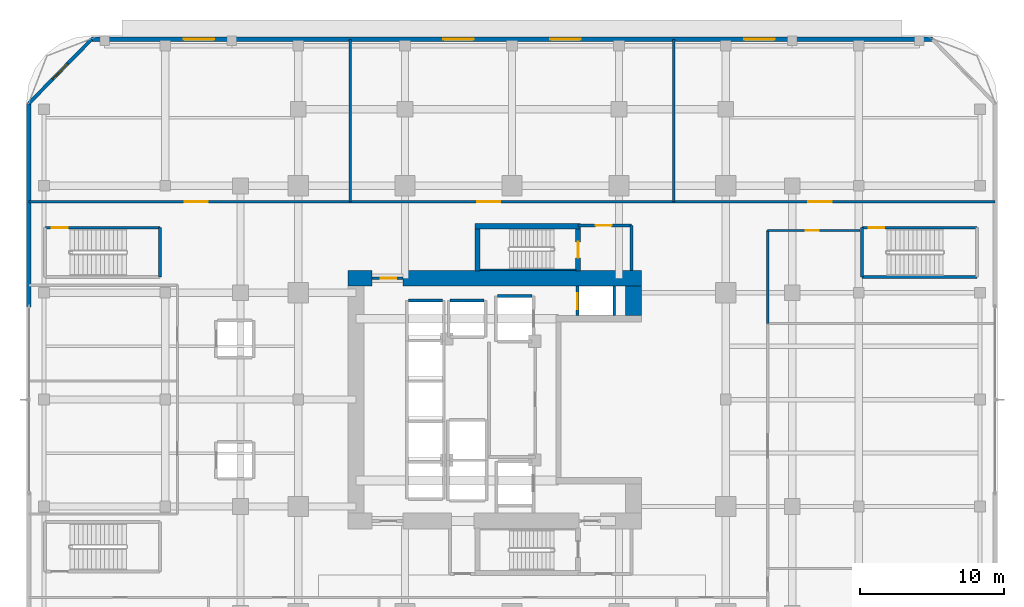
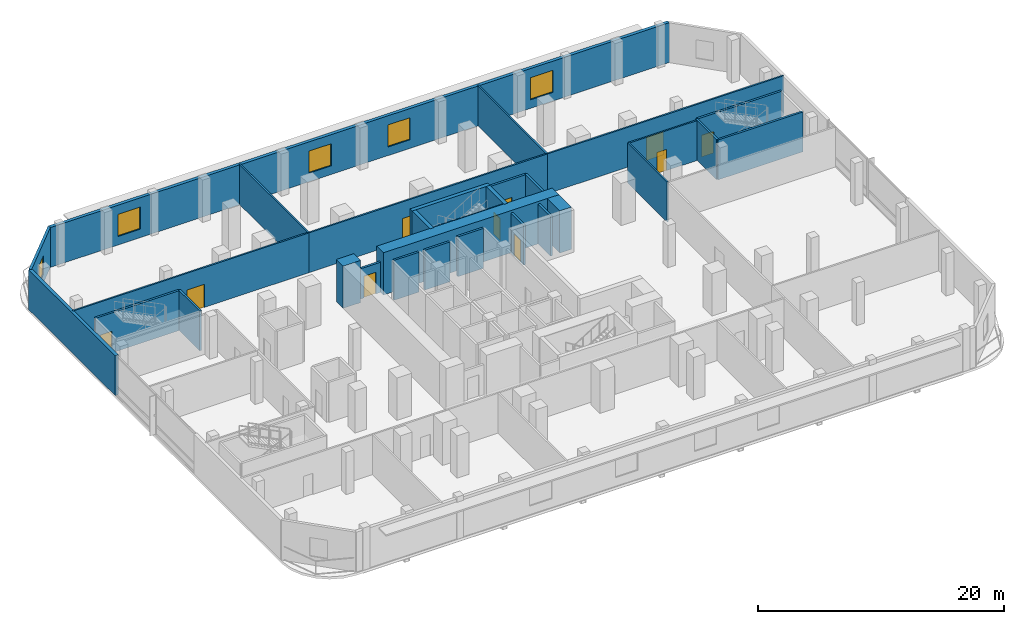
# One storey, part 10 of 19: 30 walls, 10 doors, 5 windows, 15 openings.
"""IFC4 building model written with IfcOpenShell, lengths in metres."""

from ifc_helpers import new_model, si_unit, direction, frame, frame_2d, origin, place, context, subcontext, project, spatial, rectangle, extrude, material, layer, layer_set, type_object, element, fill, save


model = new_model("IFC4")

# Units and contexts
model_context = context("Model", 3, precision=1e-05, world=origin(), true_north=direction((0.0, 1.0)))
body_context = subcontext(model_context, "Body", "Model", "MODEL_VIEW")
ifc_project = project(units=[si_unit("LENGTHUNIT", "METRE"), si_unit("AREAUNIT", "SQUARE_METRE"), si_unit("VOLUMEUNIT", "CUBIC_METRE"), si_unit("PLANEANGLEUNIT", "RADIAN"), si_unit("MASSUNIT", "GRAM", prefix="KILO")], contexts=[model_context])

# Site, building, storey
site_placement = place(None, origin())
site = spatial("IfcSite", under=ifc_project, at=site_placement, CompositionType="ELEMENT")
building_placement = place(site_placement, origin())
building = spatial("IfcBuilding", under=site, at=building_placement, Name="Khorvyn Point Tower", CompositionType="ELEMENT")
storey_placement = place(building_placement, frame((0.0, 0.0, 13.199951171875)))
storey = spatial("IfcBuildingStorey", under=building, at=storey_placement, Name="L04", CompositionType="ELEMENT", Elevation=13.199951171875)

# Wall, opening, window
ifc_material_1 = material(Name="Pale anodised aluminium rainscreen on steel stud", Category="steel")
ifc_layer_1 = layer(ifc_material_1, 0.239990234375)
ifc_layer_set_1 = layer_set([ifc_layer_1], Name="Anodised Aluminium Insulated Corner Spandrel Wall 240")
wall_type_1 = type_object("IfcWallType", Name="Anodised Aluminium Insulated Corner Spandrel Wall 240", PredefinedType="SOLIDWALL", material=ifc_layer_set_1)
wall_1_placement = place(storey_placement, frame((-33.449951171875, 20.5, 0.0), z_axis=(0.0, 0.0, 1.0), x_axis=(0.69901822973, 0.715103848756, 0.0)))
wall_1 = element("IfcWall", 1, at=wall_1_placement, inside=storey, type_object=wall_type_1, Name="L04 Rounded Corner Wall NW", PredefinedType="SOLIDWALL", context=body_context, shape_type="SweptSolid", body=[
    extrude(rectangle(XDim=6.222900390625, YDim=0.239990234375, at=frame_2d((3.111328125, 0.0))), origin(), (0.0, 0.0, 1.0), 3.9599609375),
])
opening_1_placement = place(wall_1_placement, frame((2.361572265625, 0.0, 0.85009765625)))
opening_1 = element("IfcOpeningElement", 2, at=opening_1_placement, cuts=wall_1, Name="Opening WN-1518", PredefinedType="OPENING", context=body_context, shape_type="SweptSolid", body=[
    extrude(rectangle(XDim=1.5, YDim=1.85009765625, at=frame_2d((0.75, 0.925048828125))), frame((0.0, 0.1298828125, 0.0), z_axis=(0.0, -1.0, 0.0), x_axis=(1.0, 0.0, 0.0)), (0.0, 0.0, 1.0), 0.260009765625),
])
ifc_material_2 = material(Name="Anodised aluminium 6063-T6 and laminated Low-E glass", Category="aluminium")
window_type_1 = type_object("IfcWindowType", Name="Anodised Aluminium Rounded-Corner Panoramic Window 1500x1850", PartitioningType="SINGLE_PANEL", PredefinedType="WINDOW", material=ifc_material_2)
window_1_placement = place(opening_1_placement, origin())
window_1 = element("IfcWindow", 3, at=window_1_placement, inside=storey, type_object=window_type_1, Name="L04 Corner Window NW", OverallHeight=1.85009765625, OverallWidth=1.5, PartitioningType="SINGLE_PANEL", PredefinedType="WINDOW", context=body_context, shape_type="SweptSolid", body=[
    extrude(rectangle(XDim=1.5, YDim=1.85009765625, at=frame_2d((0.75, 0.925048828125))), frame((0.0, 0.030029296875, 0.0), z_axis=(0.0, -1.0, 0.0), x_axis=(1.0, 0.0, 0.0)), (0.0, 0.0, 1.0), 0.06005859375),
])
fill(opening_1, window_1)

# Wall, opening, door
ifc_material_3 = material(Name="Concrete C40/50", Category="concrete")
ifc_layer_2 = layer(ifc_material_3, 0.199951171875)
ifc_layer_set_2 = layer_set([ifc_layer_2], Name="Concrete C40/50 Fire-Lobby Compartment Wall 200")
wall_type_2 = type_object("IfcWallType", Name="Concrete C40/50 Fire-Lobby Compartment Wall 200", PredefinedType="SOLIDWALL", material=ifc_layer_set_2)
wall_2_placement = place(storey_placement, frame((4.580078125, 12.06005859375, 0.0), z_axis=(0.0, 0.0, 1.0), x_axis=(1.0, 0.0, 0.0)))
wall_2 = element("IfcWall", 4, at=wall_2_placement, inside=storey, type_object=wall_type_2, Name="Wall", PredefinedType="SOLIDWALL", context=body_context, shape_type="SweptSolid", body=[
    extrude(rectangle(XDim=3.699951171875, YDim=0.199951171875, at=frame_2d((1.85009765625, 0.0))), origin(), (0.0, 0.0, 1.0), 3.9599609375),
])
opening_2_placement = place(wall_2_placement, frame((1.21240234375, 0.0, 0.0)))
opening_2 = element("IfcOpeningElement", 5, at=opening_2_placement, cuts=wall_2, Name="Opening ID-FL90", PredefinedType="OPENING", context=body_context, shape_type="SweptSolid", body=[
    extrude(rectangle(XDim=1.10009765625, YDim=2.14990234375, at=frame_2d((0.550048828125, 1.074951171875))), frame((0.0, 0.10986328125, 0.0), z_axis=(0.0, -1.0, 0.0), x_axis=(1.0, 0.0, 0.0)), (0.0, 0.0, 1.0), 0.219970703125),
])
ifc_material_4 = material(Name="Galvanised powder-coated steel", Category="steel")
door_type_1 = type_object("IfcDoorType", Name="Fire-Rated Steel Lobby and Stair Door 1100x2150", OperationType="NOTDEFINED", PredefinedType="DOOR", material=ifc_material_4)
door_1_placement = place(opening_2_placement, origin())
door_1 = element("IfcDoor", 6, at=door_1_placement, inside=storey, type_object=door_type_1, Name="Door", OperationType="SINGLE_SWING_LEFT", OverallHeight=2.14990234375, OverallWidth=1.10009765625, PredefinedType="DOOR", context=body_context, shape_type="SweptSolid", body=[
    extrude(rectangle(XDim=1.10009765625, YDim=2.14990234375, at=frame_2d((0.550048828125, 1.074951171875))), frame((0.0, 0.02490234375, 0.0), z_axis=(0.0, -1.0, 0.0), x_axis=(1.0, 0.0, 0.0)), (0.0, 0.0, 1.0), 0.050048828125),
])
fill(opening_2, door_1)

wall_3_placement = place(storey_placement, frame((-9.699951171875, 8.39990234375, 0.0), z_axis=(0.0, 0.0, 1.0), x_axis=(1.0, 0.0, 0.0)))
wall_3 = element("IfcWall", 7, at=wall_3_placement, inside=storey, type_object=wall_type_2, Name="Wall", PredefinedType="SOLIDWALL", context=body_context, shape_type="SweptSolid", body=[
    extrude(rectangle(XDim=2.14990234375, YDim=0.199951171875, at=frame_2d((1.074951171875, 0.0))), origin(), (0.0, 0.0, 1.0), 3.0),
])
opening_3_placement = place(wall_3_placement, frame((0.597900390625, 0.0, 0.0)))
opening_3 = element("IfcOpeningElement", 8, at=opening_3_placement, cuts=wall_3, Name="Opening ID-FL90", PredefinedType="OPENING", context=body_context, shape_type="SweptSolid", body=[
    extrude(rectangle(XDim=1.10009765625, YDim=2.14990234375, at=frame_2d((0.550048828125, 1.074951171875))), frame((0.0, 0.10986328125, 0.0), z_axis=(0.0, -1.0, 0.0), x_axis=(1.0, 0.0, 0.0)), (0.0, 0.0, 1.0), 0.219970703125),
])
door_2_placement = place(opening_3_placement, origin())
door_2 = element("IfcDoor", 9, at=door_2_placement, inside=storey, type_object=door_type_1, Name="Door", OperationType="SINGLE_SWING_LEFT", OverallHeight=2.14990234375, OverallWidth=1.10009765625, PredefinedType="DOOR", context=body_context, shape_type="SweptSolid", body=[
    extrude(rectangle(XDim=1.10009765625, YDim=2.14990234375, at=frame_2d((0.550048828125, 1.074951171875))), frame((0.0, 0.02490234375, 0.0), z_axis=(0.0, -1.0, 0.0), x_axis=(1.0, 0.0, 0.0)), (0.0, 0.0, 1.0), 0.050048828125),
])
fill(opening_3, door_2)

# Walls
wall_4_placement = place(storey_placement, frame((8.280029296875, 8.949951171875, 0.0), z_axis=(0.0, 0.0, 1.0), x_axis=(0.0, 1.0, 0.0)))
element("IfcWall", 10, at=wall_4_placement, inside=storey, type_object=wall_type_2, Name="Wall", PredefinedType="SOLIDWALL", context=body_context, shape_type="SweptSolid", body=[
    extrude(rectangle(XDim=3.110107421875, YDim=0.199951171875, at=frame_2d((1.55517578125, 0.0))), origin(), (0.0, 0.0, 1.0), 3.9599609375),
])
ifc_layer_3 = layer(ifc_material_3, 0.25)
ifc_layer_set_3 = layer_set([ifc_layer_3], Name="Concrete C40/50 Stair Inner Cheek Structural Wall 250")
wall_type_3 = type_object("IfcWallType", Name="Concrete C40/50 Stair Inner Cheek Structural Wall 250", PredefinedType="SHEAR", material=ifc_layer_set_3)
wall_5_placement = place(storey_placement, frame((-2.199951171875, 8.987548828125, 0.0), z_axis=(0.0, 0.0, 1.0), x_axis=(1.0, 0.0, 0.0)))
element("IfcWall", 11, at=wall_5_placement, inside=storey, type_object=wall_type_3, Name="Wall", PredefinedType="SHEAR", context=body_context, shape_type="SweptSolid", body=[
    extrude(rectangle(XDim=6.599853515625, YDim=0.074951171875, at=frame_2d((3.2998046875, 0.0))), origin(), (0.0, 0.0, 1.0), 4.199951171875),
])
ifc_layer_4 = layer(ifc_material_3, 0.35009765625)
ifc_layer_set_4 = layer_set([ifc_layer_4], Name="Concrete C40/50 Stair Shaft Structural Wall 350")
wall_type_4 = type_object("IfcWallType", Name="Concrete C40/50 Stair Shaft Structural Wall 350", PredefinedType="SHEAR", material=ifc_layer_set_4)
wall_6_placement = place(storey_placement, frame((-2.554931640625, 12.0, 0.0), z_axis=(0.0, 0.0, 1.0), x_axis=(1.0, 0.0, 0.0)))
element("IfcWall", 12, at=wall_6_placement, inside=storey, type_object=wall_type_4, Name="L04 ST-02 North Shaft Wall", PredefinedType="SHEAR", context=body_context, shape_type="SweptSolid", body=[
    extrude(rectangle(XDim=7.309814453125, YDim=0.35009765625, at=frame_2d((3.65478515625, 0.0))), origin(), (0.0, 0.0, 1.0), 4.199951171875),
])
wall_7_placement = place(storey_placement, frame((-2.3798828125, 8.89990234375, 0.0), z_axis=(0.0, 0.0, 1.0), x_axis=(0.0, 1.0, 0.0)))
element("IfcWall", 13, at=wall_7_placement, inside=storey, type_object=wall_type_4, Name="L04 ST-02 West Shaft Wall", PredefinedType="SHEAR", context=body_context, shape_type="SweptSolid", body=[
    extrude(rectangle(XDim=2.925048828125, YDim=0.35009765625, at=frame_2d((1.46240234375, 0.0))), origin(), (0.0, 0.0, 1.0), 4.199951171875),
])

# Wall, opening, door
wall_8_placement = place(storey_placement, frame((4.580078125, 11.824951171875, 0.0), z_axis=(0.0, 0.0, 1.0), x_axis=(0.0, -1.0, 0.0)))
wall_8 = element("IfcWall", 14, at=wall_8_placement, inside=storey, type_object=wall_type_4, Name="L04 ST-02 East Landing Door Wall", PredefinedType="SHEAR", context=body_context, shape_type="SweptSolid", body=[
    extrude(rectangle(XDim=2.925048828125, YDim=0.35009765625, at=frame_2d((1.46240234375, 0.0))), origin(), (0.0, 0.0, 1.0), 4.199951171875),
])
opening_4_placement = place(wall_8_placement, frame((0.91259765625, 0.0, 0.0)))
opening_4 = element("IfcOpeningElement", 15, at=opening_4_placement, cuts=wall_8, Name="Opening ID-FL90", PredefinedType="OPENING", context=body_context, shape_type="SweptSolid", body=[
    extrude(rectangle(XDim=1.10009765625, YDim=2.14990234375, at=frame_2d((0.550048828125, 1.074951171875))), frame((0.0, 0.18505859375, 0.0), z_axis=(0.0, -1.0, 0.0), x_axis=(1.0, 0.0, 0.0)), (0.0, 0.0, 1.0), 0.3701171875),
])
door_3_placement = place(opening_4_placement, origin())
door_3 = element("IfcDoor", 16, at=door_3_placement, inside=storey, type_object=door_type_1, Name="L04 ST-02 Smokeproof Landing Door", OperationType="SINGLE_SWING_LEFT", OverallHeight=2.14990234375, OverallWidth=1.10009765625, PredefinedType="DOOR", context=body_context, shape_type="SweptSolid", body=[
    extrude(rectangle(XDim=1.10009765625, YDim=2.14990234375, at=frame_2d((0.550048828125, 1.074951171875))), frame((0.0, 0.02490234375, 0.0), z_axis=(0.0, -1.0, 0.0), x_axis=(1.0, 0.0, 0.0)), (0.0, 0.0, 1.0), 0.050048828125),
])
fill(opening_4, door_3)

# Walls
ifc_layer_5 = layer(ifc_material_3, 0.199951171875)
ifc_layer_set_5 = layer_set([ifc_layer_5], Name="Concrete C40/50 Structural Hoistway and Stair Shaft Wall 200")
wall_type_5 = type_object("IfcWallType", Name="Concrete C40/50 Structural Hoistway and Stair Shaft Wall 200", PredefinedType="SHEAR", material=ifc_layer_set_5)
wall_9_placement = place(storey_placement, frame((-7.175048828125, 6.875, 0.0), z_axis=(0.0, 0.0, 1.0), x_axis=(1.0, 0.0, 0.0)))
element("IfcWall", 17, at=wall_9_placement, inside=storey, type_object=wall_type_5, Name="Wall", PredefinedType="SHEAR", context=body_context, shape_type="SweptSolid", body=[
    extrude(rectangle(XDim=2.35009765625, YDim=0.199951171875, at=frame_2d((1.175048828125, 0.0))), origin(), (0.0, 0.0, 1.0), 3.9599609375),
])
wall_10_placement = place(storey_placement, frame((-4.27490234375, 6.875, 0.0), z_axis=(0.0, 0.0, 1.0), x_axis=(1.0, 0.0, 0.0)))
element("IfcWall", 18, at=wall_10_placement, inside=storey, type_object=wall_type_5, Name="Wall", PredefinedType="SHEAR", context=body_context, shape_type="SweptSolid", body=[
    extrude(rectangle(XDim=2.349853515625, YDim=0.199951171875, at=frame_2d((1.1748046875, 0.0))), origin(), (0.0, 0.0, 1.0), 3.9599609375),
])
wall_11_placement = place(storey_placement, frame((-1.0, 7.175048828125, 0.0), z_axis=(0.0, 0.0, 1.0), x_axis=(1.0, 0.0, 0.0)))
element("IfcWall", 19, at=wall_11_placement, inside=storey, type_object=wall_type_5, Name="Wall", PredefinedType="SHEAR", context=body_context, shape_type="SweptSolid", body=[
    extrude(rectangle(XDim=2.39990234375, YDim=0.199951171875, at=frame_2d((1.199951171875, 0.0))), origin(), (0.0, 0.0, 1.0), 3.9599609375),
])

# Wall, opening, door
wall_12_placement = place(storey_placement, frame((4.52490234375, 5.824951171875, 0.0), z_axis=(0.0, 0.0, 1.0), x_axis=(0.0, 1.0, 0.0)))
wall_12 = element("IfcWall", 20, at=wall_12_placement, inside=storey, type_object=wall_type_5, Name="Wall", PredefinedType="SHEAR", context=body_context, shape_type="SweptSolid", body=[
    extrude(rectangle(XDim=2.025146484375, YDim=0.199951171875, at=frame_2d((1.0126953125, 0.0))), origin(), (0.0, 0.0, 1.0), 3.9599609375),
])
opening_5_placement = place(wall_12_placement, frame((0.425048828125, 0.0, 0.0)))
opening_5 = element("IfcOpeningElement", 21, at=opening_5_placement, cuts=wall_12, Name="Opening LD-1122", PredefinedType="OPENING", context=body_context, shape_type="SweptSolid", body=[
    extrude(rectangle(XDim=1.10009765625, YDim=2.199951171875, at=frame_2d((0.550048828125, 1.10009765625))), frame((0.0, 0.10986328125, 0.0), z_axis=(0.0, -1.0, 0.0), x_axis=(1.0, 0.0, 0.0)), (0.0, 0.0, 1.0), 0.219970703125),
])
ifc_material_5 = material(Name="Stainless steel 1.4301", Category="steel")
door_type_2 = type_object("IfcDoorType", Name="Stainless Steel Automatic Sliding Lift Landing Door 1100x2200", OperationType="SLIDING_TO_LEFT", PredefinedType="DOOR", material=ifc_material_5)
door_4_placement = place(opening_5_placement, origin())
door_4 = element("IfcDoor", 22, at=door_4_placement, inside=storey, type_object=door_type_2, Name="L04 FF-02 Sliding Lift Landing Door", OperationType="SLIDING_TO_LEFT", OverallHeight=2.199951171875, OverallWidth=1.10009765625, PredefinedType="DOOR", context=body_context, shape_type="SweptSolid", body=[
    extrude(rectangle(XDim=1.10009765625, YDim=2.199951171875, at=frame_2d((0.550048828125, 1.10009765625))), frame((0.0, 0.02490234375, 0.0), z_axis=(0.0, -1.0, 0.0), x_axis=(1.0, 0.0, 0.0)), (0.0, 0.0, 1.0), 0.050048828125),
])
fill(opening_5, door_4)

# Walls
wall_13_placement = place(storey_placement, frame((7.074951171875, 5.824951171875, 0.0), z_axis=(0.0, 0.0, 1.0), x_axis=(0.0, 1.0, 0.0)))
element("IfcWall", 23, at=wall_13_placement, inside=storey, type_object=wall_type_5, Name="Wall", PredefinedType="SHEAR", context=body_context, shape_type="SweptSolid", body=[
    extrude(rectangle(XDim=2.025146484375, YDim=0.199951171875, at=frame_2d((1.0126953125, 0.0))), origin(), (0.0, 0.0, 1.0), 3.9599609375),
])
wall_14_placement = place(storey_placement, frame((-24.3701171875, 11.89990234375, 0.0), z_axis=(0.0, 0.0, 1.0), x_axis=(0.0, -1.0, 0.0)))
element("IfcWall", 24, at=wall_14_placement, inside=storey, type_object=wall_type_5, Name="Wall", PredefinedType="SHEAR", context=body_context, shape_type="SweptSolid", body=[
    extrude(rectangle(XDim=3.419921875, YDim=0.199951171875, at=frame_2d((1.7099609375, 0.0))), origin(), (0.0, 0.0, 1.0), 3.9599609375),
])

# Wall, opening, door
wall_15_placement = place(storey_placement, frame((-32.330078125, 11.89990234375, 0.0), z_axis=(0.0, 0.0, 1.0), x_axis=(1.0, 0.0, 0.0)))
wall_15 = element("IfcWall", 25, at=wall_15_placement, inside=storey, type_object=wall_type_5, Name="Wall", PredefinedType="SHEAR", context=body_context, shape_type="SweptSolid", body=[
    extrude(rectangle(XDim=7.9599609375, YDim=0.199951171875, at=frame_2d((3.97998046875, 0.0))), origin(), (0.0, 0.0, 1.0), 3.9599609375),
])
opening_6_placement = place(wall_15_placement, frame((0.4599609375, 0.0, 0.0)))
opening_6 = element("IfcOpeningElement", 26, at=opening_6_placement, cuts=wall_15, Name="Opening ID-FL90", PredefinedType="OPENING", context=body_context, shape_type="SweptSolid", body=[
    extrude(rectangle(XDim=1.10009765625, YDim=2.14990234375, at=frame_2d((0.550048828125, 1.074951171875))), frame((0.0, 0.10986328125, 0.0), z_axis=(0.0, -1.0, 0.0), x_axis=(1.0, 0.0, 0.0)), (0.0, 0.0, 1.0), 0.219970703125),
])
door_5_placement = place(opening_6_placement, origin())
door_5 = element("IfcDoor", 27, at=door_5_placement, inside=storey, type_object=door_type_1, Name="L04 ST-S2 Smokeproof Landing Door", OperationType="SINGLE_SWING_LEFT", OverallHeight=2.14990234375, OverallWidth=1.10009765625, PredefinedType="DOOR", context=body_context, shape_type="SweptSolid", body=[
    extrude(rectangle(XDim=1.10009765625, YDim=2.14990234375, at=frame_2d((0.550048828125, 1.074951171875))), frame((0.0, 0.02490234375, 0.0), z_axis=(0.0, -1.0, 0.0), x_axis=(1.0, 0.0, 0.0)), (0.0, 0.0, 1.0), 0.050048828125),
])
fill(opening_6, door_5)

# Walls
wall_16_placement = place(storey_placement, frame((24.219970703125, 8.47998046875, 0.0), z_axis=(0.0, 0.0, 1.0), x_axis=(0.0, 1.0, 0.0)))
element("IfcWall", 28, at=wall_16_placement, inside=storey, type_object=wall_type_5, Name="Wall", PredefinedType="SHEAR", context=body_context, shape_type="SweptSolid", body=[
    extrude(rectangle(XDim=3.419921875, YDim=0.199951171875, at=frame_2d((1.7099609375, 0.0))), origin(), (0.0, 0.0, 1.0), 3.9599609375),
])
wall_17_placement = place(storey_placement, frame((32.179931640625, 8.47998046875, 0.0), z_axis=(0.0, 0.0, 1.0), x_axis=(-1.0, 0.0, 0.0)))
element("IfcWall", 29, at=wall_17_placement, inside=storey, type_object=wall_type_5, Name="Wall", PredefinedType="SHEAR", context=body_context, shape_type="SweptSolid", body=[
    extrude(rectangle(XDim=7.9599609375, YDim=0.199951171875, at=frame_2d((3.97998046875, 0.0))), origin(), (0.0, 0.0, 1.0), 3.9599609375),
])

# Wall, opening, door
wall_18_placement = place(storey_placement, frame((24.219970703125, 11.89990234375, 0.0), z_axis=(0.0, 0.0, 1.0), x_axis=(1.0, 0.0, 0.0)))
wall_18 = element("IfcWall", 30, at=wall_18_placement, inside=storey, type_object=wall_type_5, Name="Wall", PredefinedType="SHEAR", context=body_context, shape_type="SweptSolid", body=[
    extrude(rectangle(XDim=7.9599609375, YDim=0.199951171875, at=frame_2d((3.97998046875, 0.0))), origin(), (0.0, 0.0, 1.0), 3.9599609375),
])
opening_7_placement = place(wall_18_placement, frame((0.4599609375, 0.0, 0.0)))
opening_7 = element("IfcOpeningElement", 31, at=opening_7_placement, cuts=wall_18, Name="Opening ID-FL90", PredefinedType="OPENING", context=body_context, shape_type="SweptSolid", body=[
    extrude(rectangle(XDim=1.10009765625, YDim=2.14990234375, at=frame_2d((0.550048828125, 1.074951171875))), frame((0.0, 0.10986328125, 0.0), z_axis=(0.0, -1.0, 0.0), x_axis=(1.0, 0.0, 0.0)), (0.0, 0.0, 1.0), 0.219970703125),
])
door_6_placement = place(opening_7_placement, origin())
door_6 = element("IfcDoor", 32, at=door_6_placement, inside=storey, type_object=door_type_1, Name="L04 ST-S3 Smokeproof Landing Door", OperationType="SINGLE_SWING_LEFT", OverallHeight=2.14990234375, OverallWidth=1.10009765625, PredefinedType="DOOR", context=body_context, shape_type="SweptSolid", body=[
    extrude(rectangle(XDim=1.10009765625, YDim=2.14990234375, at=frame_2d((0.550048828125, 1.074951171875))), frame((0.0, 0.02490234375, 0.0), z_axis=(0.0, -1.0, 0.0), x_axis=(1.0, 0.0, 0.0)), (0.0, 0.0, 1.0), 0.050048828125),
])
fill(opening_7, door_6)

# Walls
ifc_material_6 = material(Name="Concrete C50/60", Category="concrete")
ifc_layer_6 = layer(ifc_material_6, 1.10009765625)
ifc_layer_set_6 = layer_set([ifc_layer_6], Name="Concrete C50/60 Core Shear Wall 1100")
wall_type_6 = type_object("IfcWallType", Name="Concrete C50/60 Core Shear Wall 1100", PredefinedType="SHEAR", material=ifc_layer_set_6)
wall_19_placement = place(storey_placement, frame((-11.35009765625, 8.39990234375, 0.0), z_axis=(0.0, 0.0, 1.0), x_axis=(1.0, 0.0, 0.0)))
element("IfcWall", 33, at=wall_19_placement, inside=storey, type_object=wall_type_6, Name="Wall", PredefinedType="SHEAR", context=body_context, shape_type="SweptSolid", body=[
    extrude(rectangle(XDim=1.650146484375, YDim=1.10009765625, at=frame_2d((0.8251953125, 0.0))), origin(), (0.0, 0.0, 1.0), 4.199951171875),
])
wall_20_placement = place(storey_placement, frame((-7.550048828125, 8.39990234375, 0.0), z_axis=(0.0, 0.0, 1.0), x_axis=(1.0, 0.0, 0.0)))
element("IfcWall", 34, at=wall_20_placement, inside=storey, type_object=wall_type_6, Name="Wall", PredefinedType="SHEAR", context=body_context, shape_type="SweptSolid", body=[
    extrude(rectangle(XDim=16.5, YDim=1.10009765625, at=frame_2d((8.25, 0.0))), origin(), (0.0, 0.0, 1.0), 4.199951171875),
])
wall_21_placement = place(storey_placement, frame((8.39990234375, 5.824951171875, 0.0), z_axis=(0.0, 0.0, 1.0), x_axis=(0.0, 1.0, 0.0)))
element("IfcWall", 35, at=wall_21_placement, inside=storey, type_object=wall_type_6, Name="Wall", PredefinedType="SHEAR", context=body_context, shape_type="SweptSolid", body=[
    extrude(rectangle(XDim=2.025146484375, YDim=1.10009765625, at=frame_2d((1.0126953125, 0.0))), origin(), (0.0, 0.0, 1.0), 4.199951171875),
])

# Wall, opening, door
ifc_material_7 = material(Name="Moisture-resistant gypsum and cement board", Category="gypsum")
ifc_layer_7 = layer(ifc_material_7, 0.14990234375)
ifc_layer_set_7 = layer_set([ifc_layer_7], Name="Moisture-Resistant Wet-Room Partition Wall 150")
wall_type_7 = type_object("IfcWallType", Name="Moisture-Resistant Wet-Room Partition Wall 150", PredefinedType="PARTITIONING", material=ifc_layer_set_7)
wall_22_placement = place(storey_placement, frame((-33.419921875, 13.699951171875, 0.0), z_axis=(0.0, 0.0, 1.0), x_axis=(1.0, 0.0, 0.0)))
wall_22 = element("IfcWall", 36, at=wall_22_placement, inside=storey, type_object=wall_type_7, Name="Wall", PredefinedType="PARTITIONING", context=body_context, shape_type="SweptSolid", body=[
    extrude(rectangle(XDim=22.219970703125, YDim=0.14990234375, at=frame_2d((11.10986328125, 0.0))), origin(), (0.0, 0.0, 1.0), 3.9599609375),
])
opening_8_placement = place(wall_22_placement, frame((10.759033203125, 0.0, 0.0)))
opening_8 = element("IfcOpeningElement", 37, at=opening_8_placement, cuts=wall_22, Name="Opening ID-LB30", PredefinedType="OPENING", context=body_context, shape_type="SweptSolid", body=[
    extrude(rectangle(XDim=1.60009765625, YDim=2.300048828125, at=frame_2d((0.800048828125, 1.14990234375))), frame((0.0, 0.0849609375, 0.0), z_axis=(0.0, -1.0, 0.0), x_axis=(1.0, 0.0, 0.0)), (0.0, 0.0, 1.0), 0.169921875),
])
ifc_material_8 = material(Name="Anodised aluminium 6063-T6 and tempered glass", Category="aluminium")
door_type_3 = type_object("IfcDoorType", Name="Glazed Aluminium Sky-Lobby Double Swing Door 1600x2300", OperationType="DOUBLE_DOOR_SINGLE_SWING", PredefinedType="DOOR", material=ifc_material_8)
door_7_placement = place(opening_8_placement, origin())
door_7 = element("IfcDoor", 38, at=door_7_placement, inside=storey, type_object=door_type_3, Name="Door", OperationType="SINGLE_SWING_LEFT", OverallHeight=2.300048828125, OverallWidth=1.60009765625, PredefinedType="DOOR", context=body_context, shape_type="SweptSolid", body=[
    extrude(rectangle(XDim=1.60009765625, YDim=2.300048828125, at=frame_2d((0.800048828125, 1.14990234375))), frame((0.0, 0.02490234375, 0.0), z_axis=(0.0, -1.0, 0.0), x_axis=(1.0, 0.0, 0.0)), (0.0, 0.0, 1.0), 0.050048828125),
])
fill(opening_8, door_7)

wall_23_placement = place(storey_placement, frame((-11.199951171875, 13.699951171875, 0.0), z_axis=(0.0, 0.0, 1.0), x_axis=(1.0, 0.0, 0.0)))
wall_23 = element("IfcWall", 39, at=wall_23_placement, inside=storey, type_object=wall_type_7, Name="Wall", PredefinedType="PARTITIONING", context=body_context, shape_type="SweptSolid", body=[
    extrude(rectangle(XDim=22.39990234375, YDim=0.14990234375, at=frame_2d((11.199951171875, 0.0))), origin(), (0.0, 0.0, 1.0), 3.9599609375),
])
opening_9_placement = place(wall_23_placement, frame((8.783203125, 0.0, 0.0)))
opening_9 = element("IfcOpeningElement", 40, at=opening_9_placement, cuts=wall_23, Name="Opening ID-LB30", PredefinedType="OPENING", context=body_context, shape_type="SweptSolid", body=[
    extrude(rectangle(XDim=1.60009765625, YDim=2.300048828125, at=frame_2d((0.800048828125, 1.14990234375))), frame((0.0, 0.0849609375, 0.0), z_axis=(0.0, -1.0, 0.0), x_axis=(1.0, 0.0, 0.0)), (0.0, 0.0, 1.0), 0.169921875),
])
door_8_placement = place(opening_9_placement, origin())
door_8 = element("IfcDoor", 41, at=door_8_placement, inside=storey, type_object=door_type_3, Name="Door", OperationType="SINGLE_SWING_LEFT", OverallHeight=2.300048828125, OverallWidth=1.60009765625, PredefinedType="DOOR", context=body_context, shape_type="SweptSolid", body=[
    extrude(rectangle(XDim=1.60009765625, YDim=2.300048828125, at=frame_2d((0.800048828125, 1.14990234375))), frame((0.0, 0.02490234375, 0.0), z_axis=(0.0, -1.0, 0.0), x_axis=(1.0, 0.0, 0.0)), (0.0, 0.0, 1.0), 0.050048828125),
])
fill(opening_9, door_8)

wall_24_placement = place(storey_placement, frame((11.199951171875, 13.699951171875, 0.0), z_axis=(0.0, 0.0, 1.0), x_axis=(1.0, 0.0, 0.0)))
wall_24 = element("IfcWall", 42, at=wall_24_placement, inside=storey, type_object=wall_type_7, Name="Wall", PredefinedType="PARTITIONING", context=body_context, shape_type="SweptSolid", body=[
    extrude(rectangle(XDim=22.219970703125, YDim=0.14990234375, at=frame_2d((11.10986328125, 0.0))), origin(), (0.0, 0.0, 1.0), 3.9599609375),
])
opening_10_placement = place(wall_24_placement, frame((9.322021484375, 0.0, 0.0)))
opening_10 = element("IfcOpeningElement", 43, at=opening_10_placement, cuts=wall_24, Name="Opening ID-LB30", PredefinedType="OPENING", context=body_context, shape_type="SweptSolid", body=[
    extrude(rectangle(XDim=1.60009765625, YDim=2.300048828125, at=frame_2d((0.800048828125, 1.14990234375))), frame((0.0, 0.0849609375, 0.0), z_axis=(0.0, -1.0, 0.0), x_axis=(1.0, 0.0, 0.0)), (0.0, 0.0, 1.0), 0.169921875),
])
door_9_placement = place(opening_10_placement, origin())
door_9 = element("IfcDoor", 44, at=door_9_placement, inside=storey, type_object=door_type_3, Name="Door", OperationType="SINGLE_SWING_LEFT", OverallHeight=2.300048828125, OverallWidth=1.60009765625, PredefinedType="DOOR", context=body_context, shape_type="SweptSolid", body=[
    extrude(rectangle(XDim=1.60009765625, YDim=2.300048828125, at=frame_2d((0.800048828125, 1.14990234375))), frame((0.0, 0.02490234375, 0.0), z_axis=(0.0, -1.0, 0.0), x_axis=(1.0, 0.0, 0.0)), (0.0, 0.0, 1.0), 0.050048828125),
])
fill(opening_10, door_9)

wall_25_placement = place(storey_placement, frame((17.699951171875, 11.699951171875, 0.0), z_axis=(0.0, 0.0, 1.0), x_axis=(1.0, 0.0, 0.0)))
wall_25 = element("IfcWall", 45, at=wall_25_placement, inside=storey, type_object=wall_type_7, Name="Wall", PredefinedType="PARTITIONING", context=body_context, shape_type="SweptSolid", body=[
    extrude(rectangle(XDim=6.380126953125, YDim=0.14990234375, at=frame_2d((3.18994140625, 0.0))), origin(), (0.0, 0.0, 1.0), 3.9599609375),
])
opening_11_placement = place(wall_25_placement, frame((2.65087890625, 0.0, 0.0)))
opening_11 = element("IfcOpeningElement", 46, at=opening_11_placement, cuts=wall_25, Name="Opening ID-RM90", PredefinedType="OPENING", context=body_context, shape_type="SweptSolid", body=[
    extrude(rectangle(XDim=0.89990234375, YDim=2.10009765625, at=frame_2d((0.449951171875, 1.050048828125))), frame((0.0, 0.0849609375, 0.0), z_axis=(0.0, -1.0, 0.0), x_axis=(1.0, 0.0, 0.0)), (0.0, 0.0, 1.0), 0.169921875),
])
ifc_material_9 = material(Name="Engineered oak veneer timber", Category="wood")
door_type_4 = type_object("IfcDoorType", Name="Flush Engineered Timber Room Door 900x2100", OperationType="NOTDEFINED", PredefinedType="DOOR", material=ifc_material_9)
door_10_placement = place(opening_11_placement, origin())
door_10 = element("IfcDoor", 47, at=door_10_placement, inside=storey, type_object=door_type_4, Name="Door", OperationType="SINGLE_SWING_LEFT", OverallHeight=2.10009765625, OverallWidth=0.89990234375, PredefinedType="DOOR", context=body_context, shape_type="SweptSolid", body=[
    extrude(rectangle(XDim=0.89990234375, YDim=2.10009765625, at=frame_2d((0.449951171875, 1.050048828125))), frame((0.0, 0.02490234375, 0.0), z_axis=(0.0, -1.0, 0.0), x_axis=(1.0, 0.0, 0.0)), (0.0, 0.0, 1.0), 0.050048828125),
])
fill(opening_11, door_10)

# Walls
for number, where, z_axis, x_axis, name in (
    (48, (-11.199951171875, 13.699951171875, 0.0), (0.0, 0.0, 1.0), (0.0, 1.0, 0.0), "Wall"),
    (49, (11.199951171875, 13.699951171875, 0.0), (0.0, 0.0, 1.0), (0.0, 1.0, 0.0), "Wall"),
):
    element("IfcWall", number, at=place(storey_placement, frame(where, z_axis=z_axis, x_axis=x_axis)), inside=storey, type_object=wall_type_7, Name=name, PredefinedType="PARTITIONING", context=body_context, shape_type="SweptSolid", body=[
        extrude(rectangle(XDim=11.219970703125, YDim=0.14990234375, at=frame_2d((5.60986328125, 0.0))), origin(), (0.0, 0.0, 1.0), 3.9599609375),
    ])
wall_26_placement = place(storey_placement, frame((17.699951171875, 5.280029296875, 0.0), z_axis=(0.0, 0.0, 1.0), x_axis=(0.0, 1.0, 0.0)))
element("IfcWall", 50, at=wall_26_placement, inside=storey, type_object=wall_type_7, Name="Wall", PredefinedType="PARTITIONING", context=body_context, shape_type="SweptSolid", body=[
    extrude(rectangle(XDim=6.419921875, YDim=0.14990234375, at=frame_2d((3.2099609375, 0.0))), origin(), (0.0, 0.0, 1.0), 3.9599609375),
])

# Wall, openings, windows
ifc_material_10 = material(Name="Precast concrete C35/45", Category="concrete")
ifc_layer_8 = layer(ifc_material_10, 0.300048828125)
ifc_layer_set_8 = layer_set([ifc_layer_8], Name="Precast Concrete C35/45 Insulated Podium Facade Wall 300")
wall_type_8 = type_object("IfcWallType", Name="Precast Concrete C35/45 Insulated Podium Facade Wall 300", PredefinedType="SOLIDWALL", material=ifc_layer_set_8)
wall_27_placement = place(storey_placement, frame((-29.10009765625, 24.949951171875, 0.0), z_axis=(0.0, 0.0, 1.0), x_axis=(1.0, 0.0, 0.0)))
wall_27 = element("IfcWall", 51, at=wall_27_placement, inside=storey, type_object=wall_type_8, Name="L04 North Podium Facade Wall", PredefinedType="SOLIDWALL", context=body_context, shape_type="SweptSolid", body=[
    extrude(rectangle(XDim=58.2001953125, YDim=0.300048828125, at=frame_2d((29.10009765625, 0.0))), origin(), (0.0, 0.0, 1.0), 3.9599609375),
])
opening_12_placement = place(wall_27_placement, frame((6.375, 0.0, 0.85009765625)))
opening_12 = element("IfcOpeningElement", 52, at=opening_12_placement, cuts=wall_27, Name="Opening WN-2122", PredefinedType="OPENING", context=body_context, shape_type="SweptSolid", body=[
    extrude(rectangle(XDim=2.10009765625, YDim=2.199951171875, at=frame_2d((1.050048828125, 1.10009765625))), frame((0.0, 0.159912109375, 0.0), z_axis=(0.0, -1.0, 0.0), x_axis=(1.0, 0.0, 0.0)), (0.0, 0.0, 1.0), 0.320068359375),
])
opening_13_placement = place(wall_27_placement, frame((24.35009765625, 0.0, 0.85009765625)))
opening_13 = element("IfcOpeningElement", 53, at=opening_13_placement, cuts=wall_27, Name="Opening WN-2122", PredefinedType="OPENING", context=body_context, shape_type="SweptSolid", body=[
    extrude(rectangle(XDim=2.10009765625, YDim=2.199951171875, at=frame_2d((1.050048828125, 1.10009765625))), frame((0.0, 0.159912109375, 0.0), z_axis=(0.0, -1.0, 0.0), x_axis=(1.0, 0.0, 0.0)), (0.0, 0.0, 1.0), 0.320068359375),
])
opening_14_placement = place(wall_27_placement, frame((31.75, 0.0, 0.85009765625)))
opening_14 = element("IfcOpeningElement", 54, at=opening_14_placement, cuts=wall_27, Name="Opening WN-2122", PredefinedType="OPENING", context=body_context, shape_type="SweptSolid", body=[
    extrude(rectangle(XDim=2.10009765625, YDim=2.199951171875, at=frame_2d((1.050048828125, 1.10009765625))), frame((0.0, 0.159912109375, 0.0), z_axis=(0.0, -1.0, 0.0), x_axis=(1.0, 0.0, 0.0)), (0.0, 0.0, 1.0), 0.320068359375),
])
opening_15_placement = place(wall_27_placement, frame((45.175048828125, 0.0, 0.85009765625)))
opening_15 = element("IfcOpeningElement", 55, at=opening_15_placement, cuts=wall_27, Name="Opening WN-2122", PredefinedType="OPENING", context=body_context, shape_type="SweptSolid", body=[
    extrude(rectangle(XDim=2.10009765625, YDim=2.199951171875, at=frame_2d((1.050048828125, 1.10009765625))), frame((0.0, 0.159912109375, 0.0), z_axis=(0.0, -1.0, 0.0), x_axis=(1.0, 0.0, 0.0)), (0.0, 0.0, 1.0), 0.320068359375),
])
window_type_2 = type_object("IfcWindowType", Name="Anodised Aluminium School Classroom Daylight Window 2100x2200", PartitioningType="TRIPLE_PANEL_HORIZONTAL", PredefinedType="WINDOW", material=ifc_material_2)
window_2_placement = place(opening_12_placement, origin())
window_2 = element("IfcWindow", 56, at=window_2_placement, inside=storey, type_object=window_type_2, Name="L04 North Classroom Daylight Window N1", OverallHeight=2.199951171875, OverallWidth=2.10009765625, PartitioningType="SINGLE_PANEL", PredefinedType="WINDOW", context=body_context, shape_type="SweptSolid", body=[
    extrude(rectangle(XDim=2.10009765625, YDim=2.199951171875, at=frame_2d((1.050048828125, 1.10009765625))), frame((0.0, 0.030029296875, 0.0), z_axis=(0.0, -1.0, 0.0), x_axis=(1.0, 0.0, 0.0)), (0.0, 0.0, 1.0), 0.06005859375),
])
fill(opening_12, window_2)
window_3_placement = place(opening_13_placement, origin())
window_3 = element("IfcWindow", 57, at=window_3_placement, inside=storey, type_object=window_type_2, Name="L04 North Classroom Daylight Window N2", OverallHeight=2.199951171875, OverallWidth=2.10009765625, PartitioningType="SINGLE_PANEL", PredefinedType="WINDOW", context=body_context, shape_type="SweptSolid", body=[
    extrude(rectangle(XDim=2.10009765625, YDim=2.199951171875, at=frame_2d((1.050048828125, 1.10009765625))), frame((0.0, 0.030029296875, 0.0), z_axis=(0.0, -1.0, 0.0), x_axis=(1.0, 0.0, 0.0)), (0.0, 0.0, 1.0), 0.06005859375),
])
fill(opening_13, window_3)
window_4_placement = place(opening_14_placement, origin())
window_4 = element("IfcWindow", 58, at=window_4_placement, inside=storey, type_object=window_type_2, Name="L04 North Classroom Daylight Window N3", OverallHeight=2.199951171875, OverallWidth=2.10009765625, PartitioningType="SINGLE_PANEL", PredefinedType="WINDOW", context=body_context, shape_type="SweptSolid", body=[
    extrude(rectangle(XDim=2.10009765625, YDim=2.199951171875, at=frame_2d((1.050048828125, 1.10009765625))), frame((0.0, 0.030029296875, 0.0), z_axis=(0.0, -1.0, 0.0), x_axis=(1.0, 0.0, 0.0)), (0.0, 0.0, 1.0), 0.06005859375),
])
fill(opening_14, window_4)
window_5_placement = place(opening_15_placement, origin())
window_5 = element("IfcWindow", 59, at=window_5_placement, inside=storey, type_object=window_type_2, Name="L04 North Classroom Daylight Window N4", OverallHeight=2.199951171875, OverallWidth=2.10009765625, PartitioningType="SINGLE_PANEL", PredefinedType="WINDOW", context=body_context, shape_type="SweptSolid", body=[
    extrude(rectangle(XDim=2.10009765625, YDim=2.199951171875, at=frame_2d((1.050048828125, 1.10009765625))), frame((0.0, 0.030029296875, 0.0), z_axis=(0.0, -1.0, 0.0), x_axis=(1.0, 0.0, 0.0)), (0.0, 0.0, 1.0), 0.06005859375),
])
fill(opening_15, window_5)

# Wall
wall_28_placement = place(storey_placement, frame((-33.449951171875, 6.409912109375, 0.0), z_axis=(0.0, 0.0, 1.0), x_axis=(0.0, 1.0, 0.0)))
element("IfcWall", 60, at=wall_28_placement, inside=storey, type_object=wall_type_8, Name="Wall", PredefinedType="SOLIDWALL", context=body_context, shape_type="SweptSolid", body=[
    extrude(rectangle(XDim=14.090087890625, YDim=0.300048828125, at=frame_2d((7.044921875, 0.0))), origin(), (0.0, 0.0, 1.0), 3.9599609375),
])

save(model, "model.ifc")
